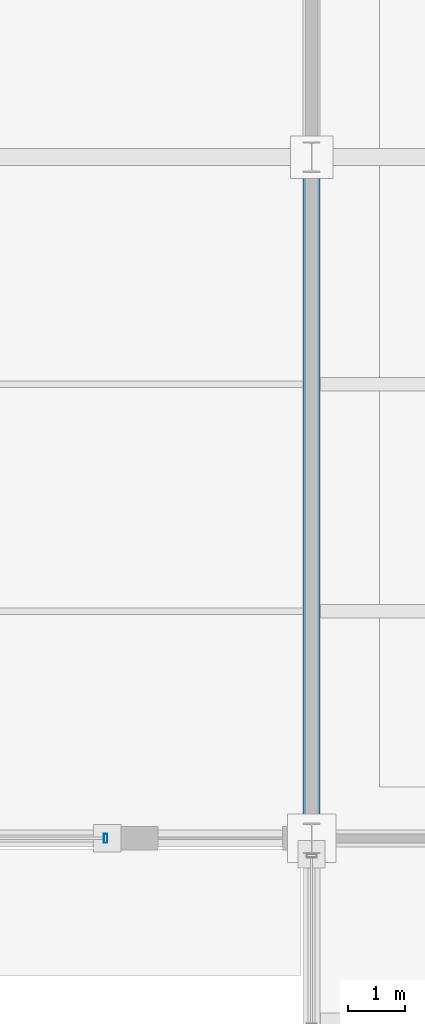
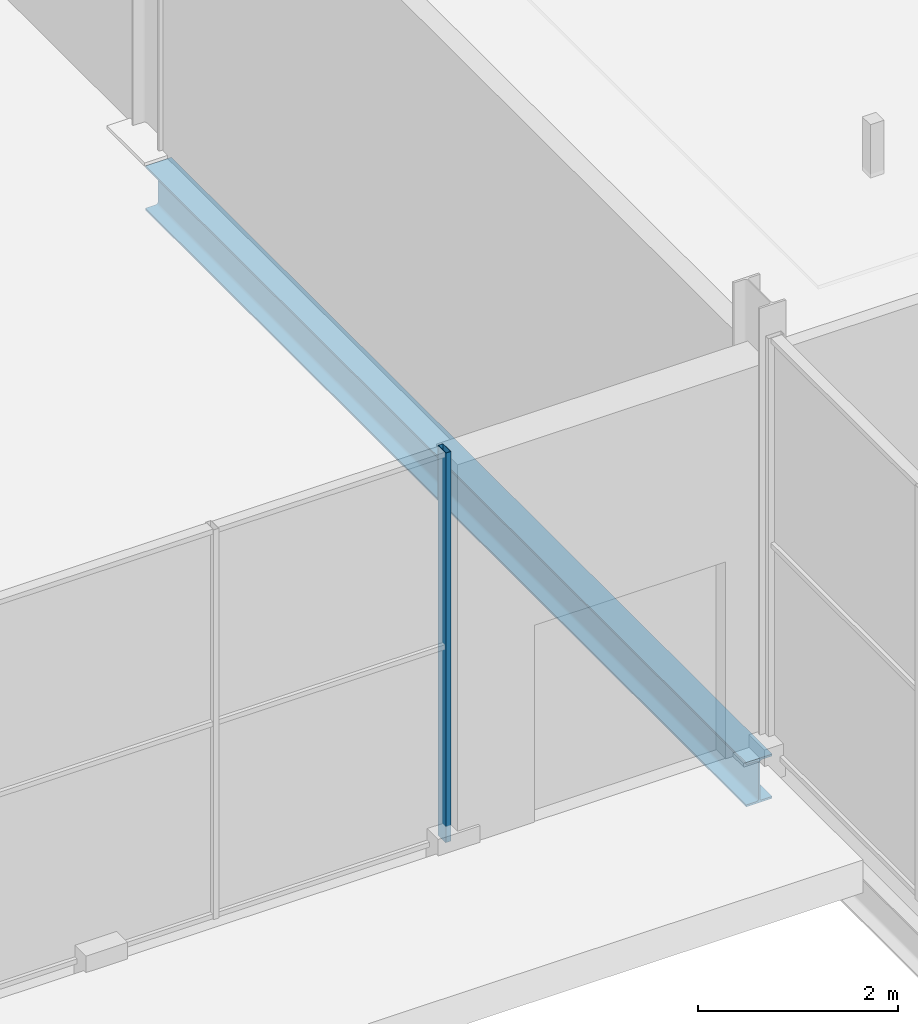
# One storey, part 128 of 196: 1 beam, 1 member, 1 element without a shape of its own.
"""IFC4 building model written with IfcOpenShell, lengths in metres."""

from ifc_helpers import new_model, si_unit, direction, frame, origin, origin_2d, place, context, subcontext, project, spatial, hollow_rectangle, i_section, extrude, material, material_profile, profile_set, type_object, element, aggregate, save


model = new_model("IFC4")

# Units and contexts
model_context = context("Model", 3, precision=1e-05, world=origin(), true_north=direction((0.0, 1.0)))
body_context = subcontext(model_context, "Body", "Model", "MODEL_VIEW")
ifc_project = project(units=[si_unit("LENGTHUNIT", "METRE"), si_unit("AREAUNIT", "SQUARE_METRE"), si_unit("VOLUMEUNIT", "CUBIC_METRE"), si_unit("PLANEANGLEUNIT", "RADIAN"), si_unit("MASSUNIT", "GRAM", prefix="KILO")], contexts=[model_context])

# Site, building, storey
site_placement = place(None, origin())
site = spatial("IfcSite", under=ifc_project, at=site_placement, CompositionType="ELEMENT")
building_placement = place(site_placement, origin())
building = spatial("IfcBuilding", under=site, at=building_placement, Name="Merenkruunu Market Hall", CompositionType="ELEMENT")
storey_placement = place(building_placement, origin())
storey = spatial("IfcBuildingStorey", under=building, at=storey_placement, Name="L00", CompositionType="ELEMENT", Elevation=0.0)

# Curtain wall, member
ifc_material_1 = material(Name="Powder-coated aluminium", Category="aluminium")
curtain_wall_type = type_object("IfcCurtainWallType", Name="Glazed Curtain Wall CW06", PredefinedType="USERDEFINED", material=ifc_material_1)
curtain_wall_placement = place(storey_placement, origin())
curtain_wall = element("IfcCurtainWall", 1, at=curtain_wall_placement, inside=storey, type_object=curtain_wall_type, Name="CW-L00-CWM01-198", ObjectType="GLAZED_FACADE", PredefinedType="USERDEFINED")
ifc_material_profile_1 = material_profile(ifc_material_1, hollow_rectangle(XDim=0.06005859375, YDim=0.159912109375, WallThickness=0.00390625, at=origin_2d()), Name="ALU 60x160x4")
ifc_profile_set_1 = profile_set([ifc_material_profile_1], Name="Powder-coated aluminium")
member_type = type_object("IfcMemberType", Name="Curtain Wall Mullion CWM01", PredefinedType="MULLION", material=ifc_profile_set_1)
member_placement = place(storey_placement, frame((145.169921875, 15.60009765625, 0.0), z_axis=(0.0, 0.0, 1.0), x_axis=(-1.0, 0.0, 0.0)))
member = element("IfcMember", 2, at=member_placement, type_object=member_type, Name="CW06 mullion 1", PredefinedType="MULLION", context=body_context, shape_type="SweptSolid", body=[
    extrude(hollow_rectangle(XDim=0.06005859375, YDim=0.159912109375, WallThickness=0.00390625, at=origin_2d()), origin(), (0.0, 0.0, 1.0), 4.75),
])
aggregate(curtain_wall, [member])

# Beam
ifc_material_2 = material(Name="Steel S355J2", Category="steel")
ifc_material_profile_2 = material_profile(ifc_material_2, i_section(OverallWidth=0.300048828125, OverallDepth=0.5400390625, WebThickness=0.012451171875, FlangeThickness=0.02392578125, FilletRadius=0.027099609375, at=origin_2d()), Name="HEA 550")
ifc_profile_set_2 = profile_set([ifc_material_profile_2], Name="Steel S355J2")
beam_type = type_object("IfcBeamType", Name="Primary Floor Girder B06", PredefinedType="BEAM", material=ifc_profile_set_2)
beam_placement = place(storey_placement, frame((148.800048828125, 15.60009765625, -0.570068359375), z_axis=(0.0, 1.0, 0.0), x_axis=(-1.0, 0.0, 0.0)))
element("IfcBeam", 3, at=beam_placement, inside=storey, type_object=beam_type, Name="BM-L00-B06-0241", PredefinedType="BEAM", context=body_context, shape_type="SweptSolid", body=[
    extrude(i_section(OverallWidth=0.300048828125, OverallDepth=0.5400390625, WebThickness=0.012451171875, FlangeThickness=0.02392578125, FilletRadius=0.027099609375, at=origin_2d()), origin(), (0.0, 0.0, 1.0), 12.0),
])

save(model, "model.ifc")
